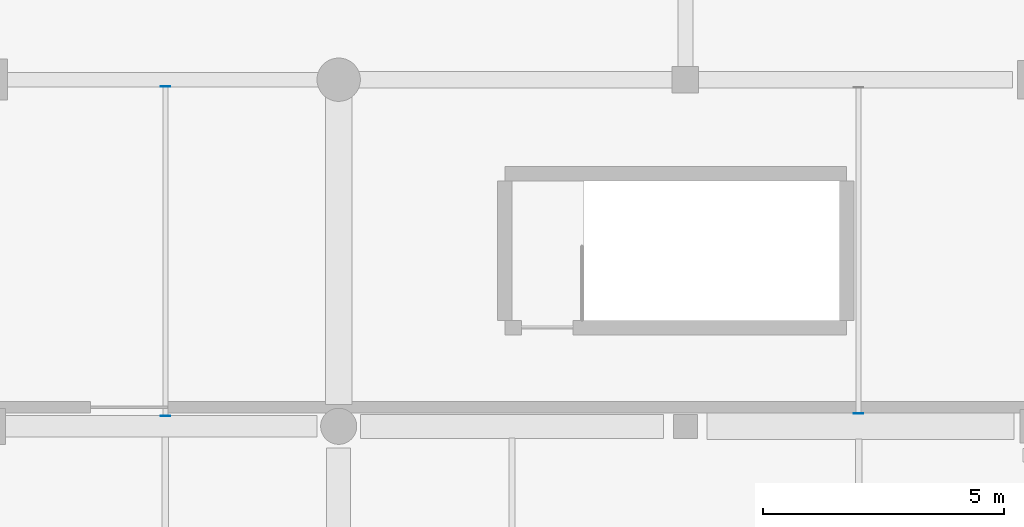
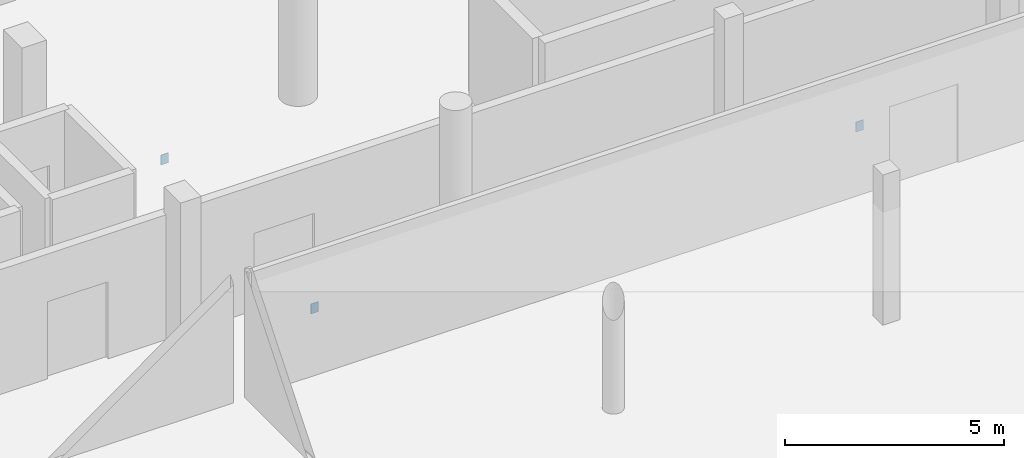
# One storey, part 27 of 41: 3 plates.
"""IFC4 building model written with IfcOpenShell, lengths in metres."""

from ifc_helpers import new_model, si_unit, direction, frame, origin, origin_2d, place, context, subcontext, project, spatial, rectangle, extrude, material, layer, layer_set, type_object, element, save


model = new_model("IFC4")

# Units and contexts
model_context = context("Model", 3, precision=1e-05, world=origin(), true_north=direction((0.0, 1.0)))
body_context = subcontext(model_context, "Body", "Model", "MODEL_VIEW")
ifc_project = project(units=[si_unit("LENGTHUNIT", "METRE"), si_unit("AREAUNIT", "SQUARE_METRE"), si_unit("VOLUMEUNIT", "CUBIC_METRE"), si_unit("PLANEANGLEUNIT", "RADIAN"), si_unit("MASSUNIT", "GRAM", prefix="KILO")], contexts=[model_context])

# Site, building, storey
site_placement = place(None, origin())
site = spatial("IfcSite", under=ifc_project, at=site_placement, CompositionType="ELEMENT")
building_placement = place(site_placement, origin())
building = spatial("IfcBuilding", under=site, at=building_placement, Name="Solanera Park Tramway Depot", CompositionType="ELEMENT")
storey_placement = place(building_placement, frame((0.0, 0.0, 13.199951171875)))
storey = spatial("IfcBuildingStorey", under=building, at=storey_placement, Name="L03", CompositionType="ELEMENT", Elevation=13.199951171875)

# Plates
ifc_material = material(Name="Steel AS/NZS 3679.1 Grade 350", Category="steel")
ifc_layer = layer(ifc_material, 0.013916015625)
ifc_layer_set = layer_set([ifc_layer], Name="Steel AS/NZS 3679.1 Grade 350")
plate_type = type_object("IfcPlateType", Name="Hollow End Cap and Base Plate 280x200x14", PredefinedType="USERDEFINED", material=ifc_layer_set)
for number, where, z_axis, x_axis, name in (
    (1, (133.199951171875, 18.214111328125, -0.56884765625), (0.0, 0.0, 1.0), (0.0, 1.0, 0.0), "Hollow Section Welded End Cap Plate #0060"),
    (2, (133.199951171875, 25.06103515625, -0.56884765625), (0.0, 0.0, 1.0), (0.0, 1.0, 0.0), "Hollow Section Welded End Cap Plate #0061"),
    (3, (147.60009765625, 18.263916015625, -0.56884765625), (0.0, 0.0, 1.0), (0.0, 1.0, 0.0), "Hollow Section Welded End Cap Plate #0062"),
):
    element("IfcPlate", number, at=place(storey_placement, frame(where, z_axis=z_axis, x_axis=x_axis)), inside=storey, type_object=plate_type, Name=name, ObjectType="BASE PLATE", PredefinedType="USERDEFINED", context=body_context, shape_type="SweptSolid", body=[
        extrude(rectangle(XDim=0.013916015625, YDim=0.199951171875, at=origin_2d()), origin(), (0.0, 0.0, 1.0), 0.280029296875),
    ])

save(model, "model.ifc")
